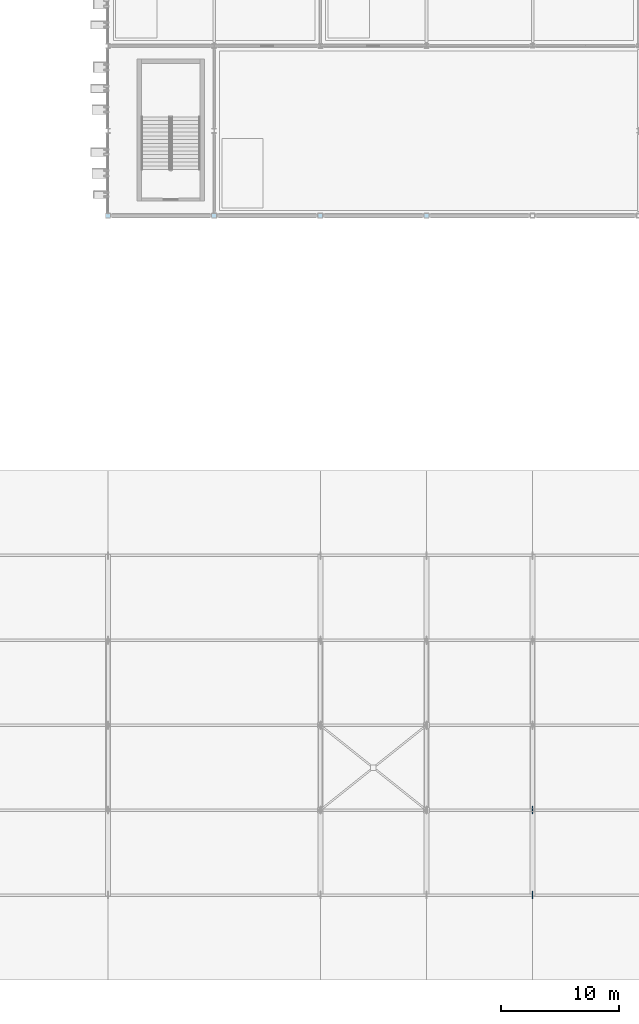
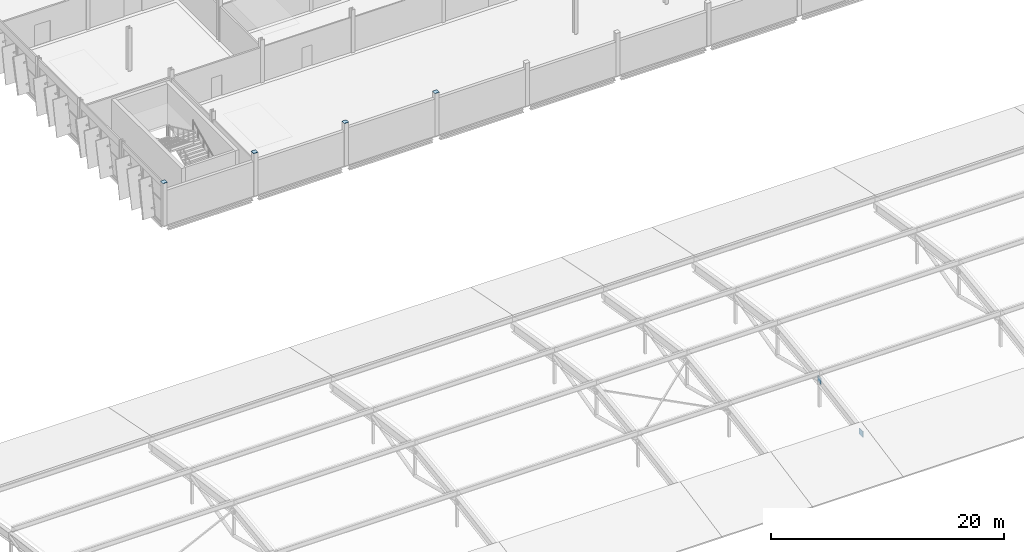
# One storey, part 60 of 78: 6 plates.
"""IFC4 building model written with IfcOpenShell, lengths in metres."""

from ifc_helpers import new_model, si_unit, direction, frame, origin, origin_2d, place, context, subcontext, project, spatial, rectangle, extrude, material, layer, layer_set, type_object, element, save


model = new_model("IFC4")

# Units and contexts
model_context = context("Model", 3, precision=1e-05, world=origin(), true_north=direction((0.0, 1.0)))
body_context = subcontext(model_context, "Body", "Model", "MODEL_VIEW")
ifc_project = project(units=[si_unit("LENGTHUNIT", "METRE"), si_unit("AREAUNIT", "SQUARE_METRE"), si_unit("VOLUMEUNIT", "CUBIC_METRE"), si_unit("PLANEANGLEUNIT", "RADIAN"), si_unit("MASSUNIT", "GRAM", prefix="KILO")], contexts=[model_context])

# Site, building, storey
site_placement = place(None, origin())
site = spatial("IfcSite", under=ifc_project, at=site_placement, CompositionType="ELEMENT")
building_placement = place(site_placement, origin())
building = spatial("IfcBuilding", under=site, at=building_placement, Name="Celestram Park Convention Centre", CompositionType="ELEMENT")
storey_placement = place(building_placement, frame((0.0, 0.0, 19.800048828125)))
storey = spatial("IfcBuildingStorey", under=building, at=storey_placement, Name="L04", CompositionType="ELEMENT", Elevation=19.800048828125)

# Plates
ifc_material = material(Name="Steel ASTM A572 Grade 50", Category="steel")
ifc_layer_1 = layer(ifc_material, 0.02490234375)
ifc_layer_set_1 = layer_set([ifc_layer_1], Name="Steel ASTM A572 Grade 50")
plate_type_1 = type_object("IfcPlateType", Name="STR-PLT-EC400", PredefinedType="USERDEFINED", material=ifc_layer_set_1)
for number, where, z_axis, x_axis, name in (
    (1, (36.0, 108.0, 4.49951171875), (0.0, 0.0, 1.0), (1.0, 0.0, 0.0), "HSS column end closure cap plate EC-L04-006"),
    (2, (45.0, 108.0, 4.49951171875), (0.0, 0.0, 1.0), (1.0, 0.0, 0.0), "HSS column end closure cap plate EC-L04-009"),
    (3, (54.0, 108.0, 4.49951171875), (0.0, 0.0, 1.0), (1.0, 0.0, 0.0), "HSS column end closure cap plate EC-L04-012"),
    (4, (63.0, 108.0, 4.49951171875), (0.0, 0.0, 1.0), (1.0, 0.0, 0.0), "HSS column end closure cap plate EC-L04-015"),
):
    element("IfcPlate", number, at=place(storey_placement, frame(where, z_axis=z_axis, x_axis=x_axis)), inside=storey, type_object=plate_type_1, Name=name, ObjectType="GUSSET_PLATE", PredefinedType="USERDEFINED", context=body_context, shape_type="SweptSolid", body=[
        extrude(rectangle(XDim=0.429931640625, YDim=0.429931640625, at=origin_2d()), origin(), (0.0, 0.0, 1.0), 0.02490234375),
    ])
ifc_layer_2 = layer(ifc_material, 0.050048828125)
ifc_layer_set_2 = layer_set([ifc_layer_2], Name="Steel ASTM A572 Grade 50")
plate_type_2 = type_object("IfcPlateType", Name="STR-PLT-GP50", PredefinedType="USERDEFINED", material=ifc_layer_set_2)
for number, where, z_axis, x_axis, name in (
    (5, (72.0, 50.39990234375, 0.15673828125), (0.0, 0.0, 1.0), (0.0, 1.0, 0.0), "V1 truss node gusset plate"),
    (6, (72.0, 57.60009765625, 1.34521484375), (0.0, 0.0, 1.0), (0.0, 1.0, 0.0), "V1 truss node gusset plate"),
):
    element("IfcPlate", number, at=place(storey_placement, frame(where, z_axis=z_axis, x_axis=x_axis)), inside=storey, type_object=plate_type_2, Name=name, ObjectType="GUSSET_PLATE", PredefinedType="USERDEFINED", context=body_context, shape_type="SweptSolid", body=[
        extrude(rectangle(XDim=0.64990234375, YDim=0.050048828125, at=origin_2d()), origin(), (0.0, 0.0, 1.0), 0.64990234375),
    ])

save(model, "model.ifc")
